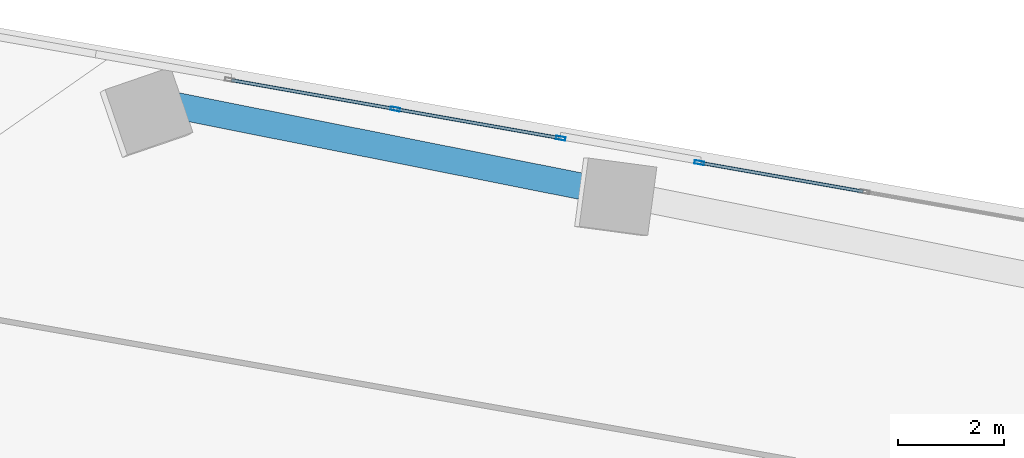
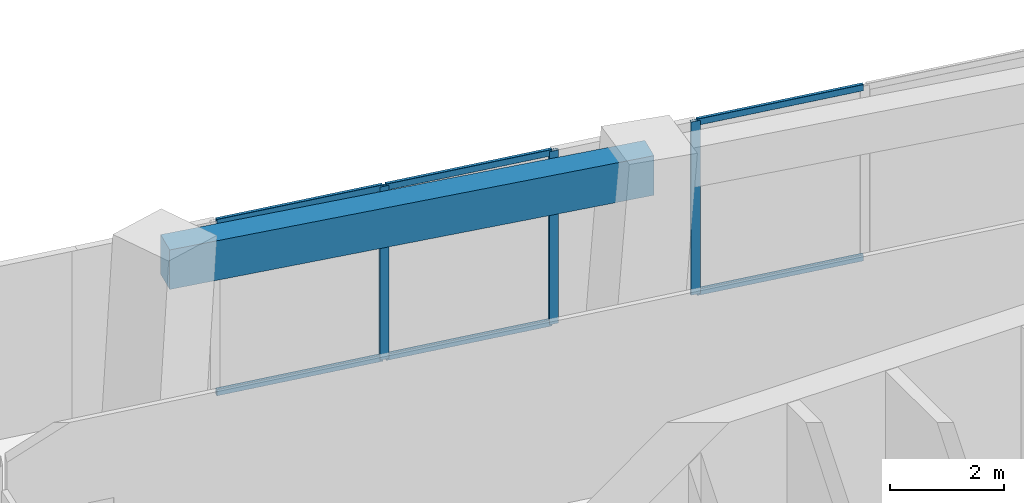
# One storey, part 15 of 24: 9 members, 1 beam, 2 elements without a shape of their own.
"""IFC4 building model written with IfcOpenShell, lengths in metres."""

from ifc_helpers import new_model, si_unit, direction, frame, origin, origin_2d, place, context, subcontext, project, spatial, rectangle, hollow_rectangle, extrude, source, transform, mapped, material, material_profile, profile_set, type_object, element, aggregate, save


model = new_model("IFC4")

# Units and contexts
model_context = context("Model", 3, precision=1e-05, world=origin(), true_north=direction((0.0, 1.0)))
body_context = subcontext(model_context, "Body", "Model", "MODEL_VIEW")
ifc_project = project(units=[si_unit("LENGTHUNIT", "METRE"), si_unit("AREAUNIT", "SQUARE_METRE"), si_unit("VOLUMEUNIT", "CUBIC_METRE"), si_unit("PLANEANGLEUNIT", "RADIAN"), si_unit("MASSUNIT", "GRAM", prefix="KILO")], contexts=[model_context])

# Site, building, storey
site_placement = place(None, origin())
site = spatial("IfcSite", under=ifc_project, at=site_placement, CompositionType="ELEMENT")
building_placement = place(site_placement, origin())
building = spatial("IfcBuilding", under=site, at=building_placement, Name="Torre Montelarca", CompositionType="ELEMENT")
storey_placement = place(building_placement, frame((0.0, 0.0, 79.0)))
storey = spatial("IfcBuildingStorey", under=building, at=storey_placement, Name="L17", CompositionType="ELEMENT", Elevation=79.0)

# Beam
ifc_material_1 = material(Name="Concrete C55/67", Category="concrete")
ifc_material_profile_1 = material_profile(ifc_material_1, rectangle(XDim=0.5, YDim=0.85009765625, at=origin_2d()), Name="RCB500X850", Category="concrete")
ifc_profile_set_1 = profile_set([ifc_material_profile_1], Name="Concrete C55/67")
beam_type = type_object("IfcBeamType", Name="BM-SP-RC850-EXT", PredefinedType="SPANDREL", material=ifc_profile_set_1)
shared_shape_1 = source(origin(), body_context, "Body", "SweptSolid", [
    extrude(rectangle(XDim=0.5, YDim=0.85009765625, at=origin_2d()), origin(), (0.0, 0.0, 1.0), 9.0),
])
beam_placement = place(storey_placement, frame((12.19580078125, 49.297607421875, 3.534912109375), z_axis=(0.980784634475, -0.195093569287, 0.0), x_axis=(0.195093569287, 0.980784634475, 0.0)))
element("IfcBeam", 1, at=beam_placement, inside=storey, type_object=beam_type, Name="L17 Grid Girder X 9.0-18.0 at Y=47.1", PredefinedType="SPANDREL", context=body_context, shape_type="MappedRepresentation", body=[
    mapped(shared_shape_1, transform((0.0, 0.0, 0.0), scale=1.0)),
])

# Curtain wall, members
ifc_material_2 = material(Name="Insulated low-E laminated glass", Category="glass")
curtain_wall_type = type_object("IfcCurtainWallType", Name="CW-SYS-Z1", PredefinedType="USERDEFINED", material=ifc_material_2)
curtain_wall_1_placement = place(storey_placement, origin())
curtain_wall_1 = element("IfcCurtainWall", 2, at=curtain_wall_1_placement, inside=storey, type_object=curtain_wall_type, Name="L17 Curtain Wall Run CW-T3-L17-E08-B3", ObjectType="UNITISED GLAZING", PredefinedType="USERDEFINED")
ifc_material_3 = material(Name="Anodised aluminium AA 6063-T6", Category="aluminium")
ifc_material_profile_2 = material_profile(ifc_material_3, hollow_rectangle(XDim=0.06494140625, YDim=0.139892578125, WallThickness=0.00390625, InnerFilletRadius=0.00390625, OuterFilletRadius=0.008056640625, at=origin_2d()), Name="ALU65X140X4", Category="aluminium")
ifc_profile_set_2 = profile_set([ifc_material_profile_2], Name="Anodised aluminium AA 6063-T6")
member_type_1 = type_object("IfcMemberType", Name="CWT-ALU140", PredefinedType="USERDEFINED", material=ifc_profile_set_2)
shared_shape_2 = source(origin(), body_context, "Body", "SweptSolid", [
    extrude(hollow_rectangle(XDim=0.06494140625, YDim=0.139892578125, WallThickness=0.00390625, InnerFilletRadius=0.00390625, OuterFilletRadius=0.008056640625, at=origin_2d()), origin(), (0.0, 0.0, 1.0), 3.106689453125),
])
member_1_placement = place(storey_placement, frame((25.406494140625, 47.629150390625, 0.032470703125), z_axis=(-0.984804120666, 0.173668776466, 0.0), x_axis=(-0.173668776466, -0.984804120666, 0.0)))
member_1 = element("IfcMember", 3, at=member_1_placement, type_object=member_type_1, Name="CW transom 2.1", ObjectType="TRANSOM", PredefinedType="USERDEFINED", context=body_context, shape_type="MappedRepresentation", body=[
    mapped(shared_shape_2, transform((0.0, 0.0, 0.0), scale=1.0)),
])
member_2_placement = place(storey_placement, frame((25.406494140625, 47.629150390625, 3.6875), z_axis=(-0.984804120666, 0.173668776466, 0.0), x_axis=(-0.173668776466, -0.984804120666, 0.0)))
member_2 = element("IfcMember", 4, at=member_2_placement, type_object=member_type_1, Name="CW transom 2.2", ObjectType="TRANSOM", PredefinedType="USERDEFINED", context=body_context, shape_type="MappedRepresentation", body=[
    mapped(shared_shape_2, transform((0.0, 0.0, 0.0), scale=1.0)),
])

curtain_wall_2_placement = place(storey_placement, origin())
curtain_wall_2 = element("IfcCurtainWall", 5, at=curtain_wall_2_placement, inside=storey, type_object=curtain_wall_type, Name="L17 Curtain Wall Run CW-T3-L17-E08-B4", ObjectType="UNITISED GLAZING", PredefinedType="USERDEFINED")
shared_shape_3 = source(origin(), body_context, "Body", "SweptSolid", [
    extrude(hollow_rectangle(XDim=0.06494140625, YDim=0.139892578125, WallThickness=0.00390625, InnerFilletRadius=0.00390625, OuterFilletRadius=0.008056640625, at=origin_2d()), origin(), (0.0, 0.0, 1.0), 3.105712890625),
])
member_3_placement = place(storey_placement, frame((19.666748046875, 48.64111328125, 0.032470703125), z_axis=(-0.984808081209, 0.173646316363, 0.0), x_axis=(-0.173646316363, -0.984808081209, 0.0)))
member_3 = element("IfcMember", 6, at=member_3_placement, type_object=member_type_1, Name="CW transom 1.1", ObjectType="TRANSOM", PredefinedType="USERDEFINED", context=body_context, shape_type="MappedRepresentation", body=[
    mapped(shared_shape_3, transform((0.0, 0.0, 0.0), scale=1.0)),
])
member_4_placement = place(storey_placement, frame((19.666748046875, 48.64111328125, 3.6875), z_axis=(-0.984808081209, 0.173646316363, 0.0), x_axis=(-0.173646316363, -0.984808081209, 0.0)))
member_4 = element("IfcMember", 7, at=member_4_placement, type_object=member_type_1, Name="CW transom 1.2", ObjectType="TRANSOM", PredefinedType="USERDEFINED", context=body_context, shape_type="MappedRepresentation", body=[
    mapped(shared_shape_3, transform((0.0, 0.0, 0.0), scale=1.0)),
])
member_5_placement = place(storey_placement, frame((16.544189453125, 49.191650390625, 0.032470703125), z_axis=(-0.984808081209, 0.173646316363, 0.0), x_axis=(-0.173646316363, -0.984808081209, 0.0)))
member_5 = element("IfcMember", 8, at=member_5_placement, type_object=member_type_1, Name="CW transom 2.1", ObjectType="TRANSOM", PredefinedType="USERDEFINED", context=body_context, shape_type="MappedRepresentation", body=[
    mapped(shared_shape_3, transform((0.0, 0.0, 0.0), scale=1.0)),
])
member_6_placement = place(storey_placement, frame((16.544189453125, 49.191650390625, 3.6875), z_axis=(-0.984808081209, 0.173646316363, 0.0), x_axis=(-0.173646316363, -0.984808081209, 0.0)))
member_6 = element("IfcMember", 9, at=member_6_placement, type_object=member_type_1, Name="CW transom 2.2", ObjectType="TRANSOM", PredefinedType="USERDEFINED", context=body_context, shape_type="MappedRepresentation", body=[
    mapped(shared_shape_3, transform((0.0, 0.0, 0.0), scale=1.0)),
])

# Member
ifc_material_profile_3 = material_profile(ifc_material_3, hollow_rectangle(XDim=0.06494140625, YDim=0.179931640625, WallThickness=0.00390625, InnerFilletRadius=0.00390625, OuterFilletRadius=0.008056640625, at=origin_2d()), Name="ALU65X180X4", Category="aluminium")
ifc_profile_set_3 = profile_set([ifc_material_profile_3], Name="Anodised aluminium AA 6063-T6")
member_type_2 = type_object("IfcMemberType", Name="CWM-ALU180", PredefinedType="MULLION", material=ifc_profile_set_3)
shared_shape_4 = source(origin(), body_context, "Body", "SweptSolid", [
    extrude(hollow_rectangle(XDim=0.06494140625, YDim=0.179931640625, WallThickness=0.00390625, InnerFilletRadius=0.00390625, OuterFilletRadius=0.008056640625, at=origin_2d()), origin(), (0.0, 0.0, 1.0), 3.719970703125),
])
member_7_placement = place(storey_placement, frame((22.31494140625, 48.17431640625, 0.0), z_axis=(0.0, 0.0, 1.0), x_axis=(-0.173658038596, -0.984806014213, 0.0)))
member_7 = element("IfcMember", 10, at=member_7_placement, type_object=member_type_2, Name="CW mullion 3", PredefinedType="MULLION", context=body_context, shape_type="MappedRepresentation", body=[
    mapped(shared_shape_4, transform((0.0, 0.0, 0.0), scale=1.0)),
])

aggregate(curtain_wall_1, [member_7, member_1, member_2])

member_8_placement = place(storey_placement, frame((19.69873046875, 48.635498046875, 0.0), z_axis=(0.0, 0.0, 1.0), x_axis=(-0.173653543698, -0.984806806821, 0.0)))
member_8 = element("IfcMember", 11, at=member_8_placement, type_object=member_type_2, Name="CW mullion 1", PredefinedType="MULLION", context=body_context, shape_type="MappedRepresentation", body=[
    mapped(shared_shape_4, transform((0.0, 0.0, 0.0), scale=1.0)),
])

member_9_placement = place(storey_placement, frame((16.576171875, 49.18603515625, 0.0), z_axis=(0.0, 0.0, 1.0), x_axis=(-0.173653543698, -0.984806806821, 0.0)))
member_9 = element("IfcMember", 12, at=member_9_placement, type_object=member_type_2, Name="CW mullion 2", PredefinedType="MULLION", context=body_context, shape_type="MappedRepresentation", body=[
    mapped(shared_shape_4, transform((0.0, 0.0, 0.0), scale=1.0)),
])

aggregate(curtain_wall_2, [member_8, member_9, member_3, member_4, member_5, member_6])

save(model, "model.ifc")
